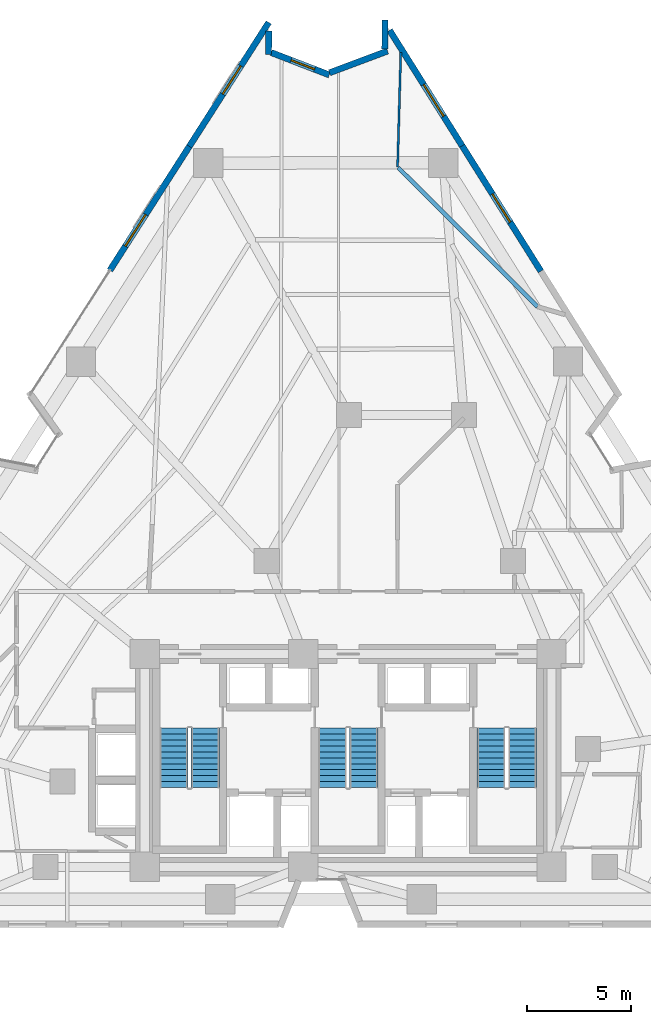
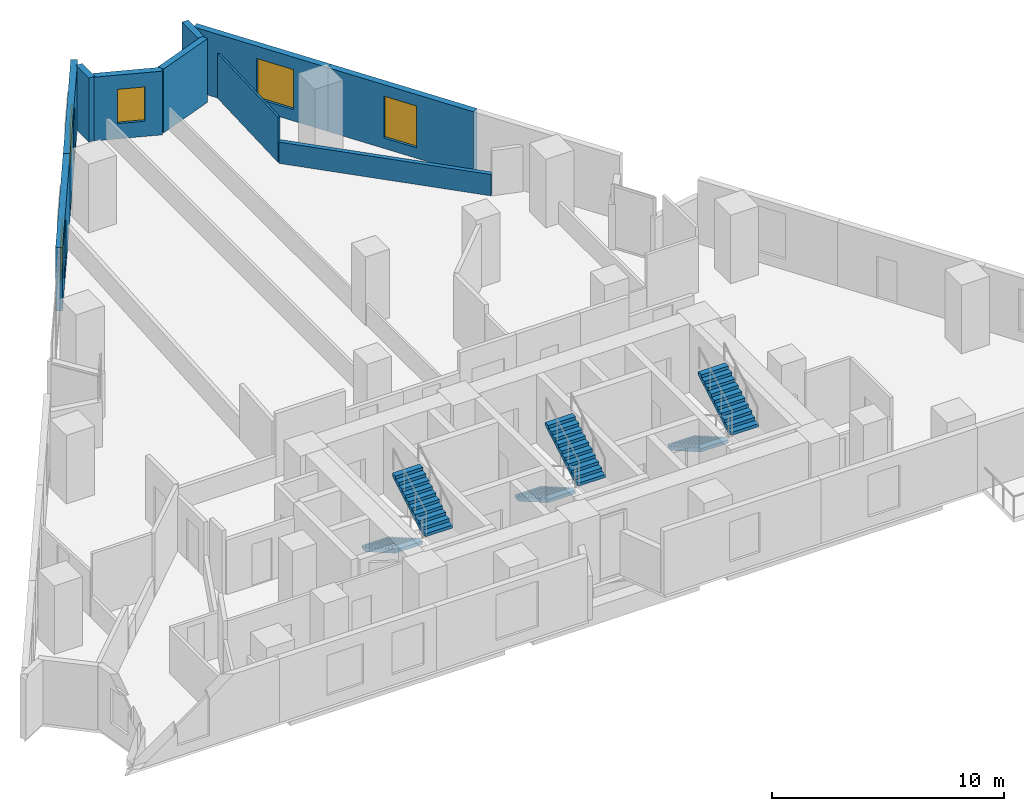
# One storey, part 9 of 12: 10 walls, 6 stair flights, 5 windows, 5 openings, 3 elements without a shape of their own.
"""IFC4 building model written with IfcOpenShell, lengths in metres."""

from ifc_helpers import new_model, si_unit, direction, frame, frame_2d, origin, place, context, subcontext, project, spatial, polyline, rectangle, outline, extrude, material, layer, layer_set, type_object, element, fill, aggregate, save


model = new_model("IFC4")

# Units and contexts
model_context = context("Model", 3, precision=1e-05, world=origin(), true_north=direction((0.0, 1.0)))
body_context = subcontext(model_context, "Body", "Model", "MODEL_VIEW")
ifc_project = project(units=[si_unit("LENGTHUNIT", "METRE"), si_unit("AREAUNIT", "SQUARE_METRE"), si_unit("VOLUMEUNIT", "CUBIC_METRE"), si_unit("PLANEANGLEUNIT", "RADIAN"), si_unit("MASSUNIT", "GRAM", prefix="KILO")], contexts=[model_context])

# Site, building, storey
site_placement = place(None, origin())
site = spatial("IfcSite", under=ifc_project, at=site_placement, CompositionType="ELEMENT")
building_placement = place(site_placement, origin())
building = spatial("IfcBuilding", under=site, at=building_placement, Name="Almagre Mirador Tower", CompositionType="ELEMENT")
storey_placement = place(building_placement, frame((0.0, 0.0, 71.39990234375)))
storey = spatial("IfcBuildingStorey", under=building, at=storey_placement, Name="L17", CompositionType="ELEMENT", Elevation=71.39990234375)

# Wall, opening, window
ifc_material_1 = material(Name="Precast concrete C50/60", Category="concrete")
ifc_layer_1 = layer(ifc_material_1, 0.300048828125)
ifc_layer_set_1 = layer_set([ifc_layer_1], Name="Precast concrete C50/60")
wall_type_1 = type_object("IfcWallType", Name="WAL-EXT-300", PredefinedType="SOLIDWALL", material=ifc_layer_set_1)
wall_1_placement = place(storey_placement, frame((25.881591796875, 33.140625, 0.0), z_axis=(0.0, 0.0, 1.0), x_axis=(0.539517071838, 0.841974660661, 0.0)))
wall_1 = element("IfcWall", 1, at=wall_1_placement, inside=storey, type_object=wall_type_1, Name="L17 expressed almagre precast frame wall 03", PredefinedType="SOLIDWALL", context=body_context, shape_type="SweptSolid", body=[
    extrude(rectangle(XDim=7.0556640625, YDim=0.300048828125, at=frame_2d((3.52783203125, 0.0))), origin(), (0.0, 0.0, 1.0), 3.35009765625),
])
opening_1_placement = place(wall_1_placement, frame((1.375, 0.0, 0.60009765625)))
opening_1 = element("IfcOpeningElement", 2, at=opening_1_placement, cuts=wall_1, Name="Opening WN-01", PredefinedType="OPENING", context=body_context, shape_type="SweptSolid", body=[
    extrude(rectangle(XDim=1.800048828125, YDim=2.10009765625, at=frame_2d((0.89990234375, 1.050048828125))), frame((0.0, 0.159902, 0.0), z_axis=(0.0, -1.0, 0.0), x_axis=(1.0, 0.0, 0.0)), (0.0, 0.0, 1.0), 0.320049),
])
ifc_material_2 = material(Name="Dark solar-control laminated hurricane glass", Category="glass")
window_type_1 = type_object("IfcWindowType", Name="WIN-1800X2100", PartitioningType="DOUBLE_PANEL_VERTICAL", PredefinedType="WINDOW", material=ifc_material_2)
window_1_placement = place(opening_1_placement, origin())
window_1 = element("IfcWindow", 3, at=window_1_placement, inside=storey, type_object=window_type_1, Name="L17 recessed hurricane window L17-RST-G", OverallHeight=2.10009765625, OverallWidth=1.800048828125, PartitioningType="SINGLE_PANEL", PredefinedType="WINDOW", context=body_context, shape_type="SweptSolid", body=[
    extrude(rectangle(XDim=1.800048828125, YDim=2.10009765625, at=frame_2d((0.89990234375, 1.050048828125))), frame((0.0, 0.030029296875, 0.0), z_axis=(0.0, -1.0, 0.0), x_axis=(1.0, 0.0, 0.0)), (0.0, 0.0, 1.0), 0.06005859375),
])
fill(opening_1, window_1)

wall_2_placement = place(storey_placement, frame((29.688232421875, 39.081298828125, 0.0), z_axis=(0.0, 0.0, 1.0), x_axis=(0.539541601369, 0.841958942225, 0.0)))
wall_2 = element("IfcWall", 4, at=wall_2_placement, inside=storey, type_object=wall_type_1, Name="L17 expressed almagre precast frame wall 04", PredefinedType="SOLIDWALL", context=body_context, shape_type="SweptSolid", body=[
    extrude(rectangle(XDim=7.0556640625, YDim=0.300048828125, at=frame_2d((3.52783203125, 0.0))), origin(), (0.0, 0.0, 1.0), 3.35009765625),
])
opening_2_placement = place(wall_2_placement, frame((2.97509765625, 0.0, 0.550048828125)))
opening_2 = element("IfcOpeningElement", 5, at=opening_2_placement, cuts=wall_2, Name="Opening WN-06", PredefinedType="OPENING", context=body_context, shape_type="SweptSolid", body=[
    extrude(rectangle(XDim=1.60009765625, YDim=2.199951171875, at=frame_2d((0.800048828125, 1.10009765625))), frame((0.0, 0.159902, 0.0), z_axis=(0.0, -1.0, 0.0), x_axis=(1.0, 0.0, 0.0)), (0.0, 0.0, 1.0), 0.320049),
])
ifc_material_3 = material(Name="Dark solar-control laminated hurricane glass", Category="glass")
window_type_2 = type_object("IfcWindowType", Name="WIN-1600X2200", PartitioningType="DOUBLE_PANEL_VERTICAL", PredefinedType="WINDOW", material=ifc_material_3)
window_2_placement = place(opening_2_placement, origin())
window_2 = element("IfcWindow", 6, at=window_2_placement, inside=storey, type_object=window_type_2, Name="L17 recessed hurricane window L17-RST-L", OverallHeight=2.199951171875, OverallWidth=1.60009765625, PartitioningType="SINGLE_PANEL", PredefinedType="WINDOW", context=body_context, shape_type="SweptSolid", body=[
    extrude(rectangle(XDim=1.60009765625, YDim=2.199951171875, at=frame_2d((0.800048828125, 1.10009765625))), frame((0.0, 0.030029296875, 0.0), z_axis=(0.0, -1.0, 0.0), x_axis=(1.0, 0.0, 0.0)), (0.0, 0.0, 1.0), 0.06005859375),
])
fill(opening_2, window_2)

# Wall
wall_3_placement = place(storey_placement, frame((33.492919921875, 44.60205078125, 0.0), z_axis=(0.0, 0.0, 1.0), x_axis=(-0.005036064886, -0.999987318945, 0.0)))
element("IfcWall", 7, at=wall_3_placement, inside=storey, type_object=wall_type_1, Name="L17 expressed almagre precast frame wall 05", PredefinedType="SOLIDWALL", context=body_context, shape_type="SweptSolid", body=[
    extrude(rectangle(XDim=1.114990234375, YDim=0.300048828125, at=frame_2d((0.5576171875, 0.0))), origin(), (0.0, 0.0, 1.0), 3.35009765625),
])

# Wall, opening, window
wall_4_placement = place(storey_placement, frame((33.614013671875, 43.57861328125, 0.0), z_axis=(0.0, 0.0, 1.0), x_axis=(0.933166321884, -0.359444871576, 0.0)))
wall_4 = element("IfcWall", 8, at=wall_4_placement, inside=storey, type_object=wall_type_1, Name="L17 expressed almagre precast frame wall 06", PredefinedType="SOLIDWALL", context=body_context, shape_type="SweptSolid", body=[
    extrude(rectangle(XDim=2.985107421875, YDim=0.300048828125, at=frame_2d((1.49267578125, 0.0))), origin(), (0.0, 0.0, 1.0), 3.35009765625),
])
opening_3_placement = place(wall_4_placement, frame((1.02490234375, 0.0, 0.800048828125)))
opening_3 = element("IfcOpeningElement", 9, at=opening_3_placement, cuts=wall_4, Name="Opening WN-04", PredefinedType="OPENING", context=body_context, shape_type="SweptSolid", body=[
    extrude(rectangle(XDim=1.199951171875, YDim=1.800048828125, at=frame_2d((0.60009765625, 0.89990234375))), frame((0.0, 0.159902, 0.0), z_axis=(0.0, -1.0, 0.0), x_axis=(1.0, 0.0, 0.0)), (0.0, 0.0, 1.0), 0.320049),
])
ifc_material_4 = material(Name="Dark solar-control laminated hurricane glass", Category="glass")
window_type_3 = type_object("IfcWindowType", Name="WIN-1200X1800", PartitioningType="SINGLE_PANEL", PredefinedType="WINDOW", material=ifc_material_4)
window_3_placement = place(opening_3_placement, origin())
window_3 = element("IfcWindow", 10, at=window_3_placement, inside=storey, type_object=window_type_3, Name="L17 recessed hurricane window L17-RST-M", OverallHeight=1.800048828125, OverallWidth=1.199951171875, PartitioningType="SINGLE_PANEL", PredefinedType="WINDOW", context=body_context, shape_type="SweptSolid", body=[
    extrude(rectangle(XDim=1.199951171875, YDim=1.800048828125, at=frame_2d((0.60009765625, 0.89990234375))), frame((0.0, 0.030029296875, 0.0), z_axis=(0.0, -1.0, 0.0), x_axis=(1.0, 0.0, 0.0)), (0.0, 0.0, 1.0), 0.06005859375),
])
fill(opening_3, window_3)

# Walls
wall_5_placement = place(storey_placement, frame((36.409423828125, 42.608642578125, 0.0), z_axis=(0.0, 0.0, 1.0), x_axis=(0.936403459864, 0.350925291699, 0.0)))
element("IfcWall", 11, at=wall_5_placement, inside=storey, type_object=wall_type_1, Name="L17 expressed almagre precast frame wall 07", PredefinedType="SOLIDWALL", context=body_context, shape_type="SweptSolid", body=[
    extrude(rectangle(XDim=2.970703125, YDim=0.300048828125, at=frame_2d((1.4853515625, 0.0))), origin(), (0.0, 0.0, 1.0), 3.35009765625),
])
wall_6_placement = place(storey_placement, frame((39.060546875, 43.737060546875, 0.0), z_axis=(0.0, 0.0, 1.0), x_axis=(0.004359916705, 0.999990495518, 0.0)))
element("IfcWall", 12, at=wall_6_placement, inside=storey, type_object=wall_type_1, Name="L17 expressed almagre precast frame wall 08", PredefinedType="SOLIDWALL", context=body_context, shape_type="SweptSolid", body=[
    extrude(rectangle(XDim=1.39990234375, YDim=0.300048828125, at=frame_2d((0.699951171875, 0.0))), origin(), (0.0, 0.0, 1.0), 3.35009765625),
])

# Wall, opening, window
wall_7_placement = place(storey_placement, frame((39.28662109375, 44.6455078125, 0.0), z_axis=(0.0, 0.0, 1.0), x_axis=(0.531900124003, -0.846807096147, 0.0)))
wall_7 = element("IfcWall", 13, at=wall_7_placement, inside=storey, type_object=wall_type_1, Name="L17 expressed almagre precast frame wall 09", PredefinedType="SOLIDWALL", context=body_context, shape_type="SweptSolid", body=[
    extrude(rectangle(XDim=6.540283203125, YDim=0.300048828125, at=frame_2d((3.27001953125, 0.0))), origin(), (0.0, 0.0, 1.0), 3.35009765625),
])
opening_4_placement = place(wall_7_placement, frame((3.070068359375, 0.0, 0.60009765625)))
opening_4 = element("IfcOpeningElement", 14, at=opening_4_placement, cuts=wall_7, Name="Opening WN-01", PredefinedType="OPENING", context=body_context, shape_type="SweptSolid", body=[
    extrude(rectangle(XDim=1.800048828125, YDim=2.10009765625, at=frame_2d((0.89990234375, 1.050048828125))), frame((0.0, 0.159902, 0.0), z_axis=(0.0, -1.0, 0.0), x_axis=(1.0, 0.0, 0.0)), (0.0, 0.0, 1.0), 0.320049),
])
window_4_placement = place(opening_4_placement, origin())
window_4 = element("IfcWindow", 15, at=window_4_placement, inside=storey, type_object=window_type_1, Name="L17 recessed hurricane window L17-RST-A", OverallHeight=2.10009765625, OverallWidth=1.800048828125, PartitioningType="SINGLE_PANEL", PredefinedType="WINDOW", context=body_context, shape_type="SweptSolid", body=[
    extrude(rectangle(XDim=1.800048828125, YDim=2.10009765625, at=frame_2d((0.89990234375, 1.050048828125))), frame((0.0, 0.030029296875, 0.0), z_axis=(0.0, -1.0, 0.0), x_axis=(1.0, 0.0, 0.0)), (0.0, 0.0, 1.0), 0.06005859375),
])
fill(opening_4, window_4)

wall_8_placement = place(storey_placement, frame((42.765380859375, 39.107177734375, 0.0), z_axis=(0.0, 0.0, 1.0), x_axis=(0.531921360547, -0.846793756586, 0.0)))
wall_8 = element("IfcWall", 16, at=wall_8_placement, inside=storey, type_object=wall_type_1, Name="L17 expressed almagre precast frame wall 10", PredefinedType="SOLIDWALL", context=body_context, shape_type="SweptSolid", body=[
    extrude(rectangle(XDim=7.095458984375, YDim=0.300048828125, at=frame_2d((3.5478515625, 0.0))), origin(), (0.0, 0.0, 1.0), 3.35009765625),
])
opening_5_placement = place(wall_8_placement, frame((2.72509765625, 0.0, 0.550048828125)))
opening_5 = element("IfcOpeningElement", 17, at=opening_5_placement, cuts=wall_8, Name="Opening WN-06", PredefinedType="OPENING", context=body_context, shape_type="SweptSolid", body=[
    extrude(rectangle(XDim=1.60009765625, YDim=2.199951171875, at=frame_2d((0.800048828125, 1.10009765625))), frame((0.0, 0.159902, 0.0), z_axis=(0.0, -1.0, 0.0), x_axis=(1.0, 0.0, 0.0)), (0.0, 0.0, 1.0), 0.320049),
])
window_5_placement = place(opening_5_placement, origin())
window_5 = element("IfcWindow", 18, at=window_5_placement, inside=storey, type_object=window_type_2, Name="L17 recessed hurricane window L17-RST-A", OverallHeight=2.199951171875, OverallWidth=1.60009765625, PartitioningType="SINGLE_PANEL", PredefinedType="WINDOW", context=body_context, shape_type="SweptSolid", body=[
    extrude(rectangle(XDim=1.60009765625, YDim=2.199951171875, at=frame_2d((0.800048828125, 1.10009765625))), frame((0.0, 0.030029296875, 0.0), z_axis=(0.0, -1.0, 0.0), x_axis=(1.0, 0.0, 0.0)), (0.0, 0.0, 1.0), 0.06005859375),
])
fill(opening_5, window_5)

# Walls
ifc_material_5 = material(Name="Gypsum acoustic stud partition", Category="other")
ifc_layer_2 = layer(ifc_material_5, 0.10009765625)
ifc_layer_set_2 = layer_set([ifc_layer_2], Name="Gypsum acoustic stud partition")
wall_type_2 = type_object("IfcWallType", Name="WAL-PRT-100-CLS", PredefinedType="PARTITIONING", material=ifc_layer_set_2)
wall_9_placement = place(storey_placement, frame((39.669921875, 38.090087890625, 0.0), z_axis=(0.0, 0.0, 1.0), x_axis=(0.027922815714, 0.999610082163, 0.0)))
element("IfcWall", 19, at=wall_9_placement, inside=storey, type_object=wall_type_2, Name="L17 interior partition 080", PredefinedType="PARTITIONING", context=body_context, shape_type="SweptSolid", body=[
    extrude(rectangle(XDim=5.482177734375, YDim=0.10009765625, at=frame_2d((2.7412109375, 0.0))), origin(), (0.0, 0.0, 1.0), 2.3701171875),
])
ifc_material_6 = material(Name="Gypsum acoustic stud partition", Category="other")
ifc_layer_3 = layer(ifc_material_6, 0.199951171875)
ifc_layer_set_3 = layer_set([ifc_layer_3], Name="Gypsum acoustic stud partition")
wall_type_3 = type_object("IfcWallType", Name="WAL-PRT-200-EI60", PredefinedType="PARTITIONING", material=ifc_layer_set_3)
wall_10_placement = place(storey_placement, frame((46.3701171875, 31.39990234375, 0.0), z_axis=(0.0, 0.0, 1.0), x_axis=(-0.707637141771, 0.70657602251, 0.0)))
element("IfcWall", 20, at=wall_10_placement, inside=storey, type_object=wall_type_3, Name="L17 interior partition 084", PredefinedType="PARTITIONING", context=body_context, shape_type="SweptSolid", body=[
    extrude(rectangle(XDim=9.43310546875, YDim=0.199951171875, at=frame_2d((4.716552734375, 0.0))), origin(), (0.0, 0.0, 1.0), 1.1201171875),
])

# Stair, stair flights
ifc_material_7 = material(Name="Concrete C45/55", Category="concrete")
stair_type = type_object("IfcStairType", Name="STR-DL-3600", PredefinedType="HALF_TURN_STAIR", material=ifc_material_7)
stair_1_placement = place(storey_placement, origin())
stair_1 = element("IfcStair", 21, at=stair_1_placement, inside=storey, type_object=stair_type, Name="L17 Protected exit stair ST-1", PredefinedType="HALF_TURN_STAIR")
ifc_material_8 = material(Name="Concrete C45/55", Category="concrete")
stair_flight_type = type_object("IfcStairFlightType", Name="FLT-DL-3600", PredefinedType="STRAIGHT", material=ifc_material_8)
stair_flight_1_placement = place(storey_placement, frame((28.949951171875, 11.199951171875, 0.0), z_axis=(0.0, 0.0, 1.0), x_axis=(0.0, -1.0, 0.0)))
stair_flight_1 = element("IfcStairFlight", 22, at=stair_flight_1_placement, type_object=stair_flight_type, Name="ST-1 flight 1", NumberOfRisers=11, NumberOfTreads=10, PredefinedType="STRAIGHT", RiserHeight=0.163636364, TreadLength=0.285, context=body_context, shape_type="SweptSolid", body=[
    extrude(outline(polyline([(0.0, 0.0), (0.0, 0.16357421875), (0.284912109375, 0.16357421875), (0.284912109375, 0.327392578125), (0.570068359375, 0.327392578125), (0.570068359375, 0.490966796875), (0.85498046875, 0.490966796875), (0.85498046875, 0.654541015625), (1.139892578125, 0.654541015625), (1.139892578125, 0.818115234375), (1.425048828125, 0.818115234375), (1.425048828125, 0.98193359375), (1.7099609375, 0.98193359375), (1.7099609375, 1.1455078125), (1.9951171875, 1.1455078125), (1.9951171875, 1.30908203125), (2.280029296875, 1.30908203125), (2.280029296875, 1.47265625), (2.56494140625, 1.47265625), (2.56494140625, 1.636474609375), (2.85009765625, 1.636474609375), (2.85009765625, 1.800048828125), (2.85009765625, 1.463623046875), (0.301025390625, 0.0), (0.0, 0.0)])), frame((0.0, 0.675048828125, 0.0), z_axis=(0.0, -1.0, 0.0), x_axis=(1.0, 0.0, 0.0)), (0.0, 0.0, 1.0), 1.35009765625),
])
stair_flight_2_placement = place(storey_placement, frame((30.449951171875, 8.35009765625, 1.800048828125), z_axis=(0.0, 0.0, 1.0), x_axis=(0.0, 1.0, 0.0)))
stair_flight_2 = element("IfcStairFlight", 23, at=stair_flight_2_placement, type_object=stair_flight_type, Name="ST-1 flight 2", NumberOfRisers=11, NumberOfTreads=10, PredefinedType="STRAIGHT", RiserHeight=0.163636364, TreadLength=0.285, context=body_context, shape_type="SweptSolid", body=[
    extrude(outline(polyline([(0.0, 0.0), (0.0, 0.16357421875), (0.284912109375, 0.16357421875), (0.284912109375, 0.327392578125), (0.570068359375, 0.327392578125), (0.570068359375, 0.490966796875), (0.85498046875, 0.490966796875), (0.85498046875, 0.654541015625), (1.139892578125, 0.654541015625), (1.139892578125, 0.818115234375), (1.425048828125, 0.818115234375), (1.425048828125, 0.98193359375), (1.7099609375, 0.98193359375), (1.7099609375, 1.1455078125), (1.9951171875, 1.1455078125), (1.9951171875, 1.30908203125), (2.280029296875, 1.30908203125), (2.280029296875, 1.47265625), (2.56494140625, 1.47265625), (2.56494140625, 1.636474609375), (2.85009765625, 1.636474609375), (2.85009765625, 1.800048828125), (2.85009765625, 1.463623046875), (0.301025390625, 0.0), (0.0, 0.0)])), frame((0.0, 0.675048828125, 0.0), z_axis=(0.0, -1.0, 0.0), x_axis=(1.0, 0.0, 0.0)), (0.0, 0.0, 1.0), 1.35009765625),
])
aggregate(stair_1, [stair_flight_1, stair_flight_2])

stair_2_placement = place(storey_placement, origin())
stair_2 = element("IfcStair", 24, at=stair_2_placement, inside=storey, type_object=stair_type, Name="L17 Protected exit stair ST-2", PredefinedType="HALF_TURN_STAIR")
stair_flight_3_placement = place(storey_placement, frame((36.550048828125, 11.199951171875, 0.0), z_axis=(0.0, 0.0, 1.0), x_axis=(0.0, -1.0, 0.0)))
stair_flight_3 = element("IfcStairFlight", 25, at=stair_flight_3_placement, type_object=stair_flight_type, Name="ST-2 flight 1", NumberOfRisers=11, NumberOfTreads=10, PredefinedType="STRAIGHT", RiserHeight=0.163636364, TreadLength=0.285, context=body_context, shape_type="SweptSolid", body=[
    extrude(outline(polyline([(0.0, 0.0), (0.0, 0.16357421875), (0.284912109375, 0.16357421875), (0.284912109375, 0.327392578125), (0.570068359375, 0.327392578125), (0.570068359375, 0.490966796875), (0.85498046875, 0.490966796875), (0.85498046875, 0.654541015625), (1.139892578125, 0.654541015625), (1.139892578125, 0.818115234375), (1.425048828125, 0.818115234375), (1.425048828125, 0.98193359375), (1.7099609375, 0.98193359375), (1.7099609375, 1.1455078125), (1.9951171875, 1.1455078125), (1.9951171875, 1.30908203125), (2.280029296875, 1.30908203125), (2.280029296875, 1.47265625), (2.56494140625, 1.47265625), (2.56494140625, 1.636474609375), (2.85009765625, 1.636474609375), (2.85009765625, 1.800048828125), (2.85009765625, 1.463623046875), (0.301025390625, 0.0), (0.0, 0.0)])), frame((0.0, 0.675048828125, 0.0), z_axis=(0.0, -1.0, 0.0), x_axis=(1.0, 0.0, 0.0)), (0.0, 0.0, 1.0), 1.35009765625),
])
stair_flight_4_placement = place(storey_placement, frame((38.050048828125, 8.35009765625, 1.800048828125), z_axis=(0.0, 0.0, 1.0), x_axis=(0.0, 1.0, 0.0)))
stair_flight_4 = element("IfcStairFlight", 26, at=stair_flight_4_placement, type_object=stair_flight_type, Name="ST-2 flight 2", NumberOfRisers=11, NumberOfTreads=10, PredefinedType="STRAIGHT", RiserHeight=0.163636364, TreadLength=0.285, context=body_context, shape_type="SweptSolid", body=[
    extrude(outline(polyline([(0.0, 0.0), (0.0, 0.16357421875), (0.284912109375, 0.16357421875), (0.284912109375, 0.327392578125), (0.570068359375, 0.327392578125), (0.570068359375, 0.490966796875), (0.85498046875, 0.490966796875), (0.85498046875, 0.654541015625), (1.139892578125, 0.654541015625), (1.139892578125, 0.818115234375), (1.425048828125, 0.818115234375), (1.425048828125, 0.98193359375), (1.7099609375, 0.98193359375), (1.7099609375, 1.1455078125), (1.9951171875, 1.1455078125), (1.9951171875, 1.30908203125), (2.280029296875, 1.30908203125), (2.280029296875, 1.47265625), (2.56494140625, 1.47265625), (2.56494140625, 1.636474609375), (2.85009765625, 1.636474609375), (2.85009765625, 1.800048828125), (2.85009765625, 1.463623046875), (0.301025390625, 0.0), (0.0, 0.0)])), frame((0.0, 0.675048828125, 0.0), z_axis=(0.0, -1.0, 0.0), x_axis=(1.0, 0.0, 0.0)), (0.0, 0.0, 1.0), 1.35009765625),
])
aggregate(stair_2, [stair_flight_3, stair_flight_4])

stair_3_placement = place(storey_placement, origin())
stair_3 = element("IfcStair", 27, at=stair_3_placement, inside=storey, type_object=stair_type, Name="L17 Protected exit stair ST-3", PredefinedType="HALF_TURN_STAIR")
stair_flight_5_placement = place(storey_placement, frame((44.14990234375, 11.199951171875, 0.0), z_axis=(0.0, 0.0, 1.0), x_axis=(0.0, -1.0, 0.0)))
stair_flight_5 = element("IfcStairFlight", 28, at=stair_flight_5_placement, type_object=stair_flight_type, Name="ST-3 flight 1", NumberOfRisers=11, NumberOfTreads=10, PredefinedType="STRAIGHT", RiserHeight=0.163636364, TreadLength=0.285, context=body_context, shape_type="SweptSolid", body=[
    extrude(outline(polyline([(0.0, 0.0), (0.0, 0.16357421875), (0.284912109375, 0.16357421875), (0.284912109375, 0.327392578125), (0.570068359375, 0.327392578125), (0.570068359375, 0.490966796875), (0.85498046875, 0.490966796875), (0.85498046875, 0.654541015625), (1.139892578125, 0.654541015625), (1.139892578125, 0.818115234375), (1.425048828125, 0.818115234375), (1.425048828125, 0.98193359375), (1.7099609375, 0.98193359375), (1.7099609375, 1.1455078125), (1.9951171875, 1.1455078125), (1.9951171875, 1.30908203125), (2.280029296875, 1.30908203125), (2.280029296875, 1.47265625), (2.56494140625, 1.47265625), (2.56494140625, 1.636474609375), (2.85009765625, 1.636474609375), (2.85009765625, 1.800048828125), (2.85009765625, 1.463623046875), (0.301025390625, 0.0), (0.0, 0.0)])), frame((0.0, 0.675048828125, 0.0), z_axis=(0.0, -1.0, 0.0), x_axis=(1.0, 0.0, 0.0)), (0.0, 0.0, 1.0), 1.35009765625),
])
stair_flight_6_placement = place(storey_placement, frame((45.64990234375, 8.35009765625, 1.800048828125), z_axis=(0.0, 0.0, 1.0), x_axis=(0.0, 1.0, 0.0)))
stair_flight_6 = element("IfcStairFlight", 29, at=stair_flight_6_placement, type_object=stair_flight_type, Name="ST-3 flight 2", NumberOfRisers=11, NumberOfTreads=10, PredefinedType="STRAIGHT", RiserHeight=0.163636364, TreadLength=0.285, context=body_context, shape_type="SweptSolid", body=[
    extrude(outline(polyline([(0.0, 0.0), (0.0, 0.16357421875), (0.284912109375, 0.16357421875), (0.284912109375, 0.327392578125), (0.570068359375, 0.327392578125), (0.570068359375, 0.490966796875), (0.85498046875, 0.490966796875), (0.85498046875, 0.654541015625), (1.139892578125, 0.654541015625), (1.139892578125, 0.818115234375), (1.425048828125, 0.818115234375), (1.425048828125, 0.98193359375), (1.7099609375, 0.98193359375), (1.7099609375, 1.1455078125), (1.9951171875, 1.1455078125), (1.9951171875, 1.30908203125), (2.280029296875, 1.30908203125), (2.280029296875, 1.47265625), (2.56494140625, 1.47265625), (2.56494140625, 1.636474609375), (2.85009765625, 1.636474609375), (2.85009765625, 1.800048828125), (2.85009765625, 1.463623046875), (0.301025390625, 0.0), (0.0, 0.0)])), frame((0.0, 0.675048828125, 0.0), z_axis=(0.0, -1.0, 0.0), x_axis=(1.0, 0.0, 0.0)), (0.0, 0.0, 1.0), 1.35009765625),
])
aggregate(stair_3, [stair_flight_5, stair_flight_6])

save(model, "model.ifc")
